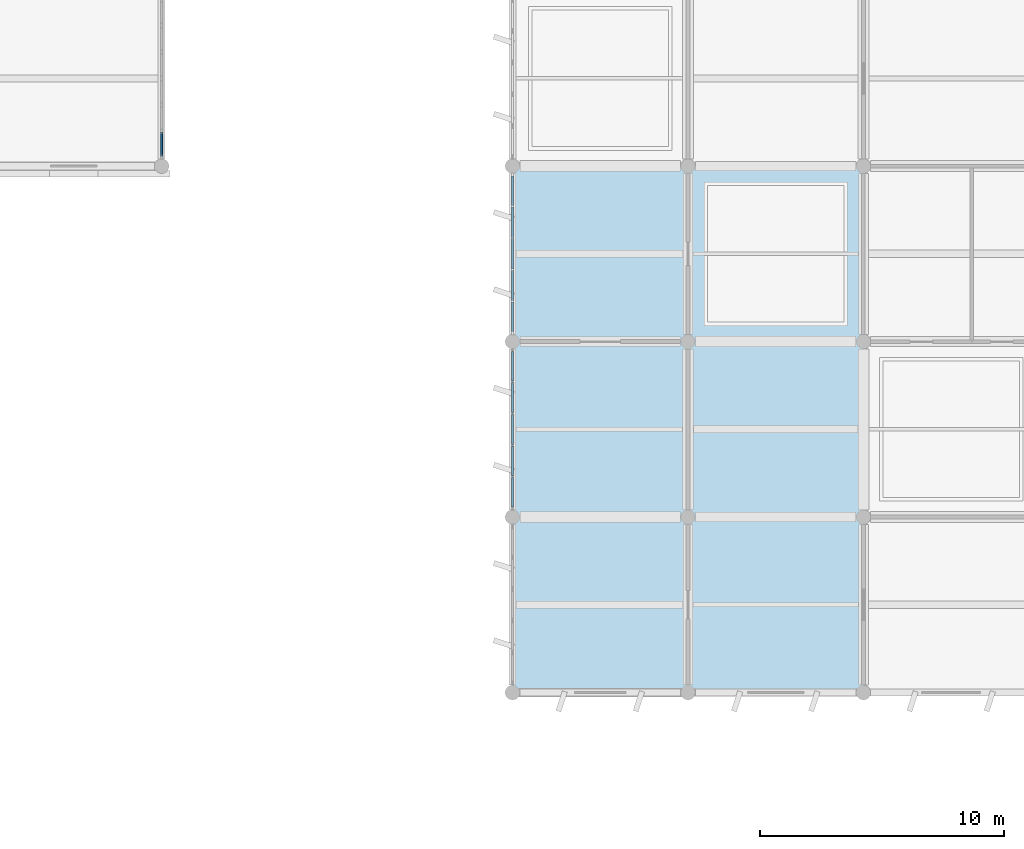
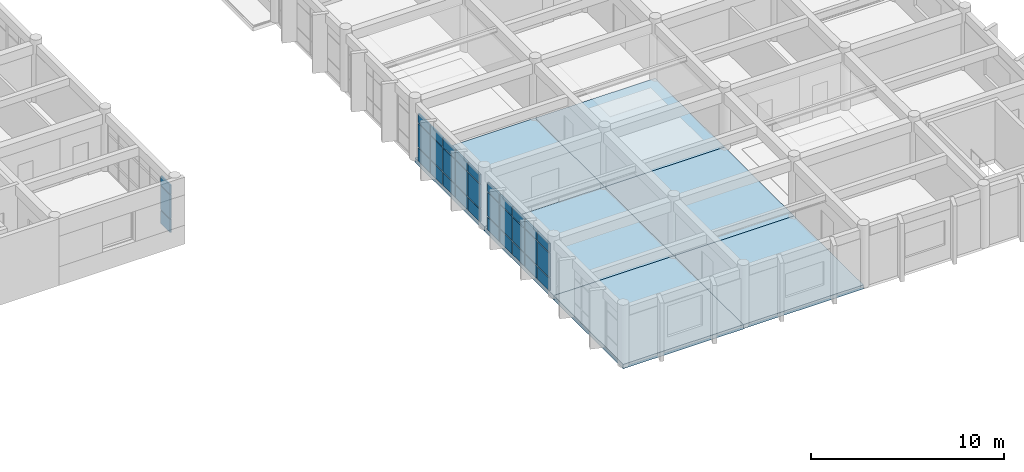
# One storey, part 9 of 16: 33 plates, 6 slabs, 3 elements without a shape of their own.
"""IFC4 building model written with IfcOpenShell, lengths in metres."""

from ifc_helpers import new_model, si_unit, direction, frame, origin, origin_2d, place, context, subcontext, project, spatial, polyline, rectangle, outline, extrude, material, layer, layer_set, type_object, element, aggregate, save


model = new_model("IFC4")

# Units and contexts
model_context = context("Model", 3, precision=1e-05, world=origin(), true_north=direction((0.0, 1.0)))
body_context = subcontext(model_context, "Body", "Model", "MODEL_VIEW")
ifc_project = project(units=[si_unit("LENGTHUNIT", "METRE"), si_unit("AREAUNIT", "SQUARE_METRE"), si_unit("VOLUMEUNIT", "CUBIC_METRE"), si_unit("PLANEANGLEUNIT", "RADIAN"), si_unit("MASSUNIT", "GRAM", prefix="KILO")], contexts=[model_context])

# Site, building, storey
site_placement = place(None, origin())
site = spatial("IfcSite", under=ifc_project, at=site_placement, CompositionType="ELEMENT")
building_placement = place(site_placement, origin())
building = spatial("IfcBuilding", under=site, at=building_placement, Name="Kavelor Marine Aquarium", CompositionType="ELEMENT")
storey_placement = place(building_placement, frame((0.0, 0.0, 21.60009765625)))
storey = spatial("IfcBuildingStorey", under=building, at=storey_placement, Name="L05", CompositionType="ELEMENT", Elevation=21.60009765625)

# Curtain wall, plates
ifc_material_1 = material(Name="Thermally Broken Aluminium and Low-E Glass", Category="aluminium")
ifc_layer_1 = layer(ifc_material_1, 0.179931640625)
ifc_layer_set_1 = layer_set([ifc_layer_1], Name="CW-SYS5")
curtain_wall_type_1 = type_object("IfcCurtainWallType", Name="CW-SYS5", PredefinedType="USERDEFINED", material=ifc_layer_set_1)
curtain_wall_1_placement = place(storey_placement, origin())
curtain_wall_1 = element("IfcCurtainWall", 1, at=curtain_wall_1_placement, inside=storey, type_object=curtain_wall_type_1, Name="cw:y:L05:14_12", ObjectType="Curtain Wall", PredefinedType="USERDEFINED")
ifc_material_2 = material(Name="Solar-Control Double Low-E Glazing", Category="glass")
ifc_layer_2 = layer(ifc_material_2, 0.08203125)
ifc_layer_set_2 = layer_set([ifc_layer_2], Name="CWP-29")
plate_type_1 = type_object("IfcPlateType", Name="CWP-29", PredefinedType="CURTAIN_PANEL", material=ifc_layer_set_2)
plate_1_placement = place(storey_placement, frame((104.0, 90.103759765625, 0.059814453125), z_axis=(0.0, 0.0, 1.0), x_axis=(0.0, 1.0, 0.0)))
plate_1 = element("IfcPlate", 2, at=plate_1_placement, type_object=plate_type_1, Name="CW05 panel 1.1", PredefinedType="CURTAIN_PANEL", context=body_context, shape_type="SweptSolid", body=[
    extrude(rectangle(XDim=0.987548828125, YDim=0.08203125, at=origin_2d()), origin(), (0.0, 0.0, 1.0), 0.81005859375),
])
plate_2_placement = place(storey_placement, frame((104.0, 90.103759765625, 0.9296875), z_axis=(0.0, 0.0, 1.0), x_axis=(0.0, 1.0, 0.0)))
plate_2 = element("IfcPlate", 3, at=plate_2_placement, type_object=plate_type_1, Name="CW05 panel 1.2", PredefinedType="CURTAIN_PANEL", context=body_context, shape_type="SweptSolid", body=[
    extrude(rectangle(XDim=0.987548828125, YDim=0.08203125, at=origin_2d()), origin(), (0.0, 0.0, 1.0), 1.510009765625),
])
plate_3_placement = place(storey_placement, frame((104.0, 90.103759765625, 2.499755859375), z_axis=(0.0, 0.0, 1.0), x_axis=(0.0, 1.0, 0.0)))
plate_3 = element("IfcPlate", 4, at=plate_3_placement, type_object=plate_type_1, Name="CW05 panel 1.3", PredefinedType="CURTAIN_PANEL", context=body_context, shape_type="SweptSolid", body=[
    extrude(rectangle(XDim=0.987548828125, YDim=0.08203125, at=origin_2d()), origin(), (0.0, 0.0, 1.0), 0.56005859375),
])
aggregate(curtain_wall_1, [plate_1, plate_2, plate_3])

ifc_material_3 = material(Name="Thermally Broken Aluminium and Low-E Glass", Category="aluminium")
ifc_layer_3 = layer(ifc_material_3, 0.2041015625)
ifc_layer_set_3 = layer_set([ifc_layer_3], Name="CW-SYS8")
curtain_wall_type_2 = type_object("IfcCurtainWallType", Name="CW-SYS8", PredefinedType="USERDEFINED", material=ifc_layer_set_3)
curtain_wall_2_placement = place(storey_placement, origin())
curtain_wall_2 = element("IfcCurtainWall", 5, at=curtain_wall_2_placement, inside=storey, type_object=curtain_wall_type_2, Name="cw:y:L05:16_10", ObjectType="Curtain Wall", PredefinedType="USERDEFINED")
ifc_material_4 = material(Name="Laminated Cast Acrylic Viewing Glazing", Category="glass")
ifc_layer_4 = layer(ifc_material_4, 0.087890625)
ifc_layer_set_4 = layer_set([ifc_layer_4], Name="CWP-32")
plate_type_2 = type_object("IfcPlateType", Name="CWP-32", PredefinedType="CURTAIN_PANEL", material=ifc_layer_set_4)
plate_4_placement = place(storey_placement, frame((118.39990234375, 80.98779296875, 0.06494140625), z_axis=(0.0, 0.0, 1.0), x_axis=(0.0, -1.0, 0.0)))
plate_4 = element("IfcPlate", 6, at=plate_4_placement, type_object=plate_type_2, Name="CW08 panel 1.1", PredefinedType="CURTAIN_PANEL", context=body_context, shape_type="SweptSolid", body=[
    extrude(rectangle(XDim=1.20458984375, YDim=0.087890625, at=origin_2d()), origin(), (0.0, 0.0, 1.0), 0.802490234375),
])
plate_5_placement = place(storey_placement, frame((118.39990234375, 80.98779296875, 0.932373046875), z_axis=(0.0, 0.0, 1.0), x_axis=(0.0, -1.0, 0.0)))
plate_5 = element("IfcPlate", 7, at=plate_5_placement, type_object=plate_type_2, Name="CW08 panel 1.2", PredefinedType="CURTAIN_PANEL", context=body_context, shape_type="SweptSolid", body=[
    extrude(rectangle(XDim=1.20458984375, YDim=0.087890625, at=origin_2d()), origin(), (0.0, 0.0, 1.0), 1.5048828125),
])
plate_6_placement = place(storey_placement, frame((118.39990234375, 80.98779296875, 2.50244140625), z_axis=(0.0, 0.0, 1.0), x_axis=(0.0, -1.0, 0.0)))
plate_6 = element("IfcPlate", 8, at=plate_6_placement, type_object=plate_type_2, Name="CW08 panel 1.3", PredefinedType="CURTAIN_PANEL", context=body_context, shape_type="SweptSolid", body=[
    extrude(rectangle(XDim=1.20458984375, YDim=0.087890625, at=origin_2d()), origin(), (0.0, 0.0, 1.0), 0.552490234375),
])
plate_7_placement = place(storey_placement, frame((118.39990234375, 79.701904296875, 0.06494140625), z_axis=(0.0, 0.0, 1.0), x_axis=(0.0, -1.0, 0.0)))
plate_7 = element("IfcPlate", 9, at=plate_7_placement, type_object=plate_type_2, Name="CW08 panel 2.1", PredefinedType="CURTAIN_PANEL", context=body_context, shape_type="SweptSolid", body=[
    extrude(rectangle(XDim=1.237060546875, YDim=0.087890625, at=origin_2d()), origin(), (0.0, 0.0, 1.0), 0.802490234375),
])
plate_8_placement = place(storey_placement, frame((118.39990234375, 79.701904296875, 0.932373046875), z_axis=(0.0, 0.0, 1.0), x_axis=(0.0, -1.0, 0.0)))
plate_8 = element("IfcPlate", 10, at=plate_8_placement, type_object=plate_type_2, Name="CW08 panel 2.2", PredefinedType="CURTAIN_PANEL", context=body_context, shape_type="SweptSolid", body=[
    extrude(rectangle(XDim=1.237060546875, YDim=0.087890625, at=origin_2d()), origin(), (0.0, 0.0, 1.0), 1.5048828125),
])
plate_9_placement = place(storey_placement, frame((118.39990234375, 79.701904296875, 2.50244140625), z_axis=(0.0, 0.0, 1.0), x_axis=(0.0, -1.0, 0.0)))
plate_9 = element("IfcPlate", 11, at=plate_9_placement, type_object=plate_type_2, Name="CW08 panel 2.3", PredefinedType="CURTAIN_PANEL", context=body_context, shape_type="SweptSolid", body=[
    extrude(rectangle(XDim=1.237060546875, YDim=0.087890625, at=origin_2d()), origin(), (0.0, 0.0, 1.0), 0.552490234375),
])
plate_10_placement = place(storey_placement, frame((118.39990234375, 78.39990234375, 0.06494140625), z_axis=(0.0, 0.0, 1.0), x_axis=(0.0, -1.0, 0.0)))
plate_10 = element("IfcPlate", 12, at=plate_10_placement, type_object=plate_type_2, Name="CW08 panel 3.1", PredefinedType="CURTAIN_PANEL", context=body_context, shape_type="SweptSolid", body=[
    extrude(rectangle(XDim=1.237060546875, YDim=0.087890625, at=origin_2d()), origin(), (0.0, 0.0, 1.0), 0.802490234375),
])
plate_11_placement = place(storey_placement, frame((118.39990234375, 78.39990234375, 0.932373046875), z_axis=(0.0, 0.0, 1.0), x_axis=(0.0, -1.0, 0.0)))
plate_11 = element("IfcPlate", 13, at=plate_11_placement, type_object=plate_type_2, Name="CW08 panel 3.2", PredefinedType="CURTAIN_PANEL", context=body_context, shape_type="SweptSolid", body=[
    extrude(rectangle(XDim=1.237060546875, YDim=0.087890625, at=origin_2d()), origin(), (0.0, 0.0, 1.0), 1.5048828125),
])
plate_12_placement = place(storey_placement, frame((118.39990234375, 78.39990234375, 2.50244140625), z_axis=(0.0, 0.0, 1.0), x_axis=(0.0, -1.0, 0.0)))
plate_12 = element("IfcPlate", 14, at=plate_12_placement, type_object=plate_type_2, Name="CW08 panel 3.3", PredefinedType="CURTAIN_PANEL", context=body_context, shape_type="SweptSolid", body=[
    extrude(rectangle(XDim=1.237060546875, YDim=0.087890625, at=origin_2d()), origin(), (0.0, 0.0, 1.0), 0.552490234375),
])
plate_13_placement = place(storey_placement, frame((118.39990234375, 77.097900390625, 0.06494140625), z_axis=(0.0, 0.0, 1.0), x_axis=(0.0, -1.0, 0.0)))
plate_13 = element("IfcPlate", 15, at=plate_13_placement, type_object=plate_type_2, Name="CW08 panel 4.1", PredefinedType="CURTAIN_PANEL", context=body_context, shape_type="SweptSolid", body=[
    extrude(rectangle(XDim=1.237060546875, YDim=0.087890625, at=origin_2d()), origin(), (0.0, 0.0, 1.0), 0.802490234375),
])
plate_14_placement = place(storey_placement, frame((118.39990234375, 77.097900390625, 0.932373046875), z_axis=(0.0, 0.0, 1.0), x_axis=(0.0, -1.0, 0.0)))
plate_14 = element("IfcPlate", 16, at=plate_14_placement, type_object=plate_type_2, Name="CW08 panel 4.2", PredefinedType="CURTAIN_PANEL", context=body_context, shape_type="SweptSolid", body=[
    extrude(rectangle(XDim=1.237060546875, YDim=0.087890625, at=origin_2d()), origin(), (0.0, 0.0, 1.0), 1.5048828125),
])
plate_15_placement = place(storey_placement, frame((118.39990234375, 77.097900390625, 2.50244140625), z_axis=(0.0, 0.0, 1.0), x_axis=(0.0, -1.0, 0.0)))
plate_15 = element("IfcPlate", 17, at=plate_15_placement, type_object=plate_type_2, Name="CW08 panel 4.3", PredefinedType="CURTAIN_PANEL", context=body_context, shape_type="SweptSolid", body=[
    extrude(rectangle(XDim=1.237060546875, YDim=0.087890625, at=origin_2d()), origin(), (0.0, 0.0, 1.0), 0.552490234375),
])
plate_16_placement = place(storey_placement, frame((118.39990234375, 75.812255859375, 0.06494140625), z_axis=(0.0, 0.0, 1.0), x_axis=(0.0, -1.0, 0.0)))
plate_16 = element("IfcPlate", 18, at=plate_16_placement, type_object=plate_type_2, Name="CW08 panel 5.1", PredefinedType="CURTAIN_PANEL", context=body_context, shape_type="SweptSolid", body=[
    extrude(rectangle(XDim=1.20458984375, YDim=0.087890625, at=origin_2d()), origin(), (0.0, 0.0, 1.0), 0.802490234375),
])
plate_17_placement = place(storey_placement, frame((118.39990234375, 75.812255859375, 0.932373046875), z_axis=(0.0, 0.0, 1.0), x_axis=(0.0, -1.0, 0.0)))
plate_17 = element("IfcPlate", 19, at=plate_17_placement, type_object=plate_type_2, Name="CW08 panel 5.2", PredefinedType="CURTAIN_PANEL", context=body_context, shape_type="SweptSolid", body=[
    extrude(rectangle(XDim=1.20458984375, YDim=0.087890625, at=origin_2d()), origin(), (0.0, 0.0, 1.0), 1.5048828125),
])
plate_18_placement = place(storey_placement, frame((118.39990234375, 75.812255859375, 2.50244140625), z_axis=(0.0, 0.0, 1.0), x_axis=(0.0, -1.0, 0.0)))
plate_18 = element("IfcPlate", 20, at=plate_18_placement, type_object=plate_type_2, Name="CW08 panel 5.3", PredefinedType="CURTAIN_PANEL", context=body_context, shape_type="SweptSolid", body=[
    extrude(rectangle(XDim=1.20458984375, YDim=0.087890625, at=origin_2d()), origin(), (0.0, 0.0, 1.0), 0.552490234375),
])
aggregate(curtain_wall_2, [plate_4, plate_5, plate_6, plate_7, plate_8, plate_9, plate_10, plate_11, plate_12, plate_13, plate_14, plate_15, plate_16, plate_17, plate_18])

ifc_material_5 = material(Name="Thermally Broken Aluminium and Low-E Glass", Category="aluminium")
ifc_layer_5 = layer(ifc_material_5, 0.2119140625)
ifc_layer_set_5 = layer_set([ifc_layer_5], Name="CW-SYS9")
curtain_wall_type_3 = type_object("IfcCurtainWallType", Name="CW-SYS9", PredefinedType="USERDEFINED", material=ifc_layer_set_5)
curtain_wall_3_placement = place(storey_placement, origin())
curtain_wall_3 = element("IfcCurtainWall", 21, at=curtain_wall_3_placement, inside=storey, type_object=curtain_wall_type_3, Name="cw:y:L05:16_11", ObjectType="Curtain Wall", PredefinedType="USERDEFINED")
ifc_material_6 = material(Name="Laminated Cast Acrylic Viewing Glazing", Category="glass")
ifc_layer_6 = layer(ifc_material_6, 0.090087890625)
ifc_layer_set_6 = layer_set([ifc_layer_6], Name="CWP-33")
plate_type_3 = type_object("IfcPlateType", Name="CWP-33", PredefinedType="CURTAIN_PANEL", material=ifc_layer_set_6)
plate_19_placement = place(storey_placement, frame((118.39990234375, 88.18896484375, 0.06494140625), z_axis=(0.0, 0.0, 1.0), x_axis=(0.0, -1.0, 0.0)))
plate_19 = element("IfcPlate", 22, at=plate_19_placement, type_object=plate_type_3, Name="CW09 panel 1.1", PredefinedType="CURTAIN_PANEL", context=body_context, shape_type="SweptSolid", body=[
    extrude(rectangle(XDim=1.2119140625, YDim=0.090087890625, at=origin_2d()), origin(), (0.0, 0.0, 1.0), 0.802490234375),
])
plate_20_placement = place(storey_placement, frame((118.39990234375, 88.18896484375, 0.932373046875), z_axis=(0.0, 0.0, 1.0), x_axis=(0.0, -1.0, 0.0)))
plate_20 = element("IfcPlate", 23, at=plate_20_placement, type_object=plate_type_3, Name="CW09 panel 1.2", PredefinedType="CURTAIN_PANEL", context=body_context, shape_type="SweptSolid", body=[
    extrude(rectangle(XDim=1.2119140625, YDim=0.090087890625, at=origin_2d()), origin(), (0.0, 0.0, 1.0), 1.5048828125),
])
plate_21_placement = place(storey_placement, frame((118.39990234375, 88.18896484375, 2.50244140625), z_axis=(0.0, 0.0, 1.0), x_axis=(0.0, -1.0, 0.0)))
plate_21 = element("IfcPlate", 24, at=plate_21_placement, type_object=plate_type_3, Name="CW09 panel 1.3", PredefinedType="CURTAIN_PANEL", context=body_context, shape_type="SweptSolid", body=[
    extrude(rectangle(XDim=1.2119140625, YDim=0.090087890625, at=origin_2d()), origin(), (0.0, 0.0, 1.0), 0.552490234375),
])
plate_22_placement = place(storey_placement, frame((118.39990234375, 86.902099609375, 0.06494140625), z_axis=(0.0, 0.0, 1.0), x_axis=(0.0, -1.0, 0.0)))
plate_22 = element("IfcPlate", 25, at=plate_22_placement, type_object=plate_type_3, Name="CW09 panel 2.1", PredefinedType="CURTAIN_PANEL", context=body_context, shape_type="SweptSolid", body=[
    extrude(rectangle(XDim=1.241943359375, YDim=0.090087890625, at=origin_2d()), origin(), (0.0, 0.0, 1.0), 0.802490234375),
])
plate_23_placement = place(storey_placement, frame((118.39990234375, 86.902099609375, 0.932373046875), z_axis=(0.0, 0.0, 1.0), x_axis=(0.0, -1.0, 0.0)))
plate_23 = element("IfcPlate", 26, at=plate_23_placement, type_object=plate_type_3, Name="CW09 panel 2.2", PredefinedType="CURTAIN_PANEL", context=body_context, shape_type="SweptSolid", body=[
    extrude(rectangle(XDim=1.241943359375, YDim=0.090087890625, at=origin_2d()), origin(), (0.0, 0.0, 1.0), 1.5048828125),
])
plate_24_placement = place(storey_placement, frame((118.39990234375, 86.902099609375, 2.50244140625), z_axis=(0.0, 0.0, 1.0), x_axis=(0.0, -1.0, 0.0)))
plate_24 = element("IfcPlate", 27, at=plate_24_placement, type_object=plate_type_3, Name="CW09 panel 2.3", PredefinedType="CURTAIN_PANEL", context=body_context, shape_type="SweptSolid", body=[
    extrude(rectangle(XDim=1.241943359375, YDim=0.090087890625, at=origin_2d()), origin(), (0.0, 0.0, 1.0), 0.552490234375),
])
plate_25_placement = place(storey_placement, frame((118.39990234375, 85.60009765625, 0.06494140625), z_axis=(0.0, 0.0, 1.0), x_axis=(0.0, -1.0, 0.0)))
plate_25 = element("IfcPlate", 28, at=plate_25_placement, type_object=plate_type_3, Name="CW09 panel 3.1", PredefinedType="CURTAIN_PANEL", context=body_context, shape_type="SweptSolid", body=[
    extrude(rectangle(XDim=1.241943359375, YDim=0.090087890625, at=origin_2d()), origin(), (0.0, 0.0, 1.0), 0.802490234375),
])
plate_26_placement = place(storey_placement, frame((118.39990234375, 85.60009765625, 0.932373046875), z_axis=(0.0, 0.0, 1.0), x_axis=(0.0, -1.0, 0.0)))
plate_26 = element("IfcPlate", 29, at=plate_26_placement, type_object=plate_type_3, Name="CW09 panel 3.2", PredefinedType="CURTAIN_PANEL", context=body_context, shape_type="SweptSolid", body=[
    extrude(rectangle(XDim=1.241943359375, YDim=0.090087890625, at=origin_2d()), origin(), (0.0, 0.0, 1.0), 1.5048828125),
])
plate_27_placement = place(storey_placement, frame((118.39990234375, 85.60009765625, 2.50244140625), z_axis=(0.0, 0.0, 1.0), x_axis=(0.0, -1.0, 0.0)))
plate_27 = element("IfcPlate", 30, at=plate_27_placement, type_object=plate_type_3, Name="CW09 panel 3.3", PredefinedType="CURTAIN_PANEL", context=body_context, shape_type="SweptSolid", body=[
    extrude(rectangle(XDim=1.241943359375, YDim=0.090087890625, at=origin_2d()), origin(), (0.0, 0.0, 1.0), 0.552490234375),
])
plate_28_placement = place(storey_placement, frame((118.39990234375, 84.298095703125, 0.06494140625), z_axis=(0.0, 0.0, 1.0), x_axis=(0.0, -1.0, 0.0)))
plate_28 = element("IfcPlate", 31, at=plate_28_placement, type_object=plate_type_3, Name="CW09 panel 4.1", PredefinedType="CURTAIN_PANEL", context=body_context, shape_type="SweptSolid", body=[
    extrude(rectangle(XDim=1.241943359375, YDim=0.090087890625, at=origin_2d()), origin(), (0.0, 0.0, 1.0), 0.802490234375),
])
plate_29_placement = place(storey_placement, frame((118.39990234375, 84.298095703125, 0.932373046875), z_axis=(0.0, 0.0, 1.0), x_axis=(0.0, -1.0, 0.0)))
plate_29 = element("IfcPlate", 32, at=plate_29_placement, type_object=plate_type_3, Name="CW09 panel 4.2", PredefinedType="CURTAIN_PANEL", context=body_context, shape_type="SweptSolid", body=[
    extrude(rectangle(XDim=1.241943359375, YDim=0.090087890625, at=origin_2d()), origin(), (0.0, 0.0, 1.0), 1.5048828125),
])
plate_30_placement = place(storey_placement, frame((118.39990234375, 84.298095703125, 2.50244140625), z_axis=(0.0, 0.0, 1.0), x_axis=(0.0, -1.0, 0.0)))
plate_30 = element("IfcPlate", 33, at=plate_30_placement, type_object=plate_type_3, Name="CW09 panel 4.3", PredefinedType="CURTAIN_PANEL", context=body_context, shape_type="SweptSolid", body=[
    extrude(rectangle(XDim=1.241943359375, YDim=0.090087890625, at=origin_2d()), origin(), (0.0, 0.0, 1.0), 0.552490234375),
])
plate_31_placement = place(storey_placement, frame((118.39990234375, 83.010986328125, 0.06494140625), z_axis=(0.0, 0.0, 1.0), x_axis=(0.0, -1.0, 0.0)))
plate_31 = element("IfcPlate", 34, at=plate_31_placement, type_object=plate_type_3, Name="CW09 panel 5.1", PredefinedType="CURTAIN_PANEL", context=body_context, shape_type="SweptSolid", body=[
    extrude(rectangle(XDim=1.2119140625, YDim=0.090087890625, at=origin_2d()), origin(), (0.0, 0.0, 1.0), 0.802490234375),
])
plate_32_placement = place(storey_placement, frame((118.39990234375, 83.010986328125, 0.932373046875), z_axis=(0.0, 0.0, 1.0), x_axis=(0.0, -1.0, 0.0)))
plate_32 = element("IfcPlate", 35, at=plate_32_placement, type_object=plate_type_3, Name="CW09 panel 5.2", PredefinedType="CURTAIN_PANEL", context=body_context, shape_type="SweptSolid", body=[
    extrude(rectangle(XDim=1.2119140625, YDim=0.090087890625, at=origin_2d()), origin(), (0.0, 0.0, 1.0), 1.5048828125),
])
plate_33_placement = place(storey_placement, frame((118.39990234375, 83.010986328125, 2.50244140625), z_axis=(0.0, 0.0, 1.0), x_axis=(0.0, -1.0, 0.0)))
plate_33 = element("IfcPlate", 36, at=plate_33_placement, type_object=plate_type_3, Name="CW09 panel 5.3", PredefinedType="CURTAIN_PANEL", context=body_context, shape_type="SweptSolid", body=[
    extrude(rectangle(XDim=1.2119140625, YDim=0.090087890625, at=origin_2d()), origin(), (0.0, 0.0, 1.0), 0.552490234375),
])
aggregate(curtain_wall_3, [plate_19, plate_20, plate_21, plate_22, plate_23, plate_24, plate_25, plate_26, plate_27, plate_28, plate_29, plate_30, plate_31, plate_32, plate_33])

# Slabs
ifc_material_7 = material(Name="Concrete C40/50", Category="concrete")
ifc_layer_7 = layer(ifc_material_7, 0.280029296875)
ifc_layer_set_7 = layer_set([ifc_layer_7], Name="SL-FL2")
slab_type_1 = type_object("IfcSlabType", Name="SL-FL2", PredefinedType="FLOOR", material=ifc_layer_set_7)
slab_1_placement = place(storey_placement, frame((0.0, 0.0, -0.280029296875)))
element("IfcSlab", 37, at=slab_1_placement, inside=storey, type_object=slab_type_1, Name="slab:L05:16_09", PredefinedType="FLOOR", context=body_context, shape_type="SweptSolid", body=[
    extrude(outline(polyline([(118.39990234375, 67.60009765625), (125.60009765625, 67.60009765625), (125.60009765625, 74.800048828125), (118.39990234375, 74.800048828125), (118.39990234375, 67.60009765625)])), origin(), (0.0, 0.0, 1.0), 0.280029296875),
])
slab_2_placement = place(storey_placement, frame((0.0, 0.0, -0.280029296875)))
element("IfcSlab", 38, at=slab_2_placement, inside=storey, type_object=slab_type_1, Name="slab:L05:16_10", PredefinedType="FLOOR", context=body_context, shape_type="SweptSolid", body=[
    extrude(outline(polyline([(118.39990234375, 74.800048828125), (125.60009765625, 74.800048828125), (125.60009765625, 82.0), (118.39990234375, 82.0), (118.39990234375, 74.800048828125)])), origin(), (0.0, 0.0, 1.0), 0.280029296875),
])
slab_3_placement = place(storey_placement, frame((0.0, 0.0, -0.280029296875)))
element("IfcSlab", 39, at=slab_3_placement, inside=storey, type_object=slab_type_1, Name="slab:L05:16_11", PredefinedType="FLOOR", context=body_context, shape_type="SweptSolid", body=[
    extrude(outline(polyline([(118.39990234375, 82.0), (125.60009765625, 82.0), (125.60009765625, 89.199951171875), (118.39990234375, 89.199951171875), (118.39990234375, 82.0)])), origin(), (0.0, 0.0, 1.0), 0.280029296875),
])
ifc_material_8 = material(Name="Concrete C40/50", Category="concrete")
ifc_layer_8 = layer(ifc_material_8, 0.260009765625)
ifc_layer_set_8 = layer_set([ifc_layer_8], Name="SL-FL3")
slab_type_2 = type_object("IfcSlabType", Name="SL-FL3", PredefinedType="FLOOR", material=ifc_layer_set_8)
slab_4_placement = place(storey_placement, frame((0.0, 0.0, -0.260009765625)))
element("IfcSlab", 40, at=slab_4_placement, inside=storey, type_object=slab_type_2, Name="slab:L05:17_09", PredefinedType="FLOOR", context=body_context, shape_type="SweptSolid", body=[
    extrude(outline(polyline([(125.60009765625, 67.60009765625), (132.800048828125, 67.60009765625), (132.800048828125, 74.800048828125), (125.60009765625, 74.800048828125), (125.60009765625, 67.60009765625)])), origin(), (0.0, 0.0, 1.0), 0.260009765625),
])
slab_5_placement = place(storey_placement, frame((0.0, 0.0, -0.260009765625)))
element("IfcSlab", 41, at=slab_5_placement, inside=storey, type_object=slab_type_2, Name="slab:L05:17_10", PredefinedType="FLOOR", context=body_context, shape_type="SweptSolid", body=[
    extrude(outline(polyline([(125.60009765625, 74.800048828125), (132.800048828125, 74.800048828125), (132.800048828125, 82.0), (125.60009765625, 82.0), (125.60009765625, 74.800048828125)])), origin(), (0.0, 0.0, 1.0), 0.260009765625),
])
slab_6_placement = place(storey_placement, frame((0.0, 0.0, -0.260009765625)))
element("IfcSlab", 42, at=slab_6_placement, inside=storey, type_object=slab_type_2, Name="slab:L05:17_11", PredefinedType="FLOOR", context=body_context, shape_type="SweptSolid", body=[
    extrude(outline(polyline([(125.60009765625, 82.0), (132.800048828125, 82.0), (132.800048828125, 89.199951171875), (125.60009765625, 89.199951171875), (125.60009765625, 82.0)])), origin(), (0.0, 0.0, 1.0), 0.260009765625),
])

save(model, "model.ifc")
